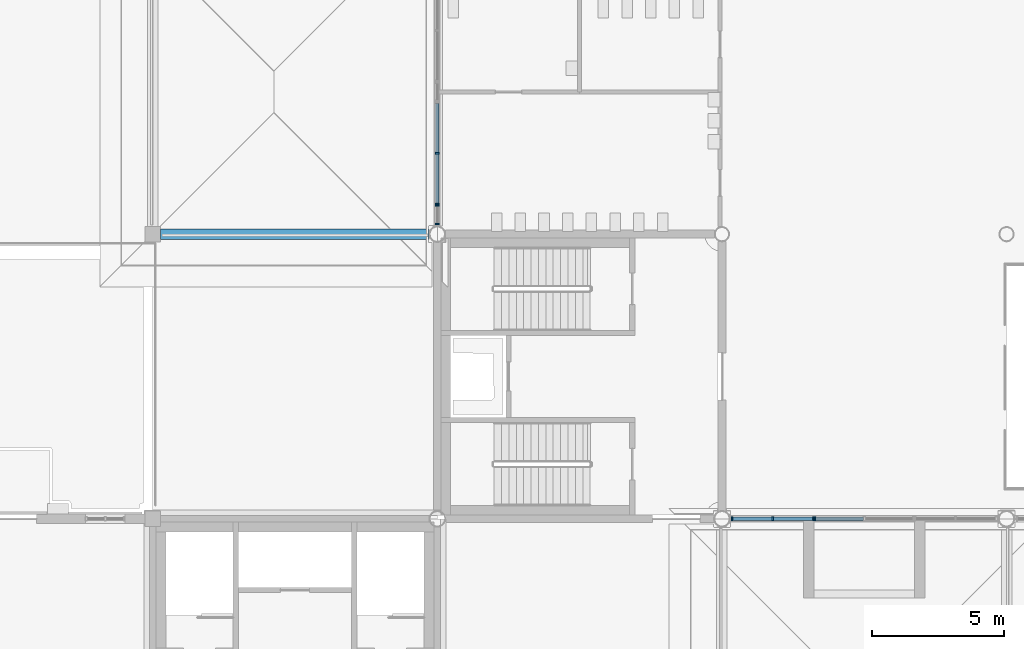
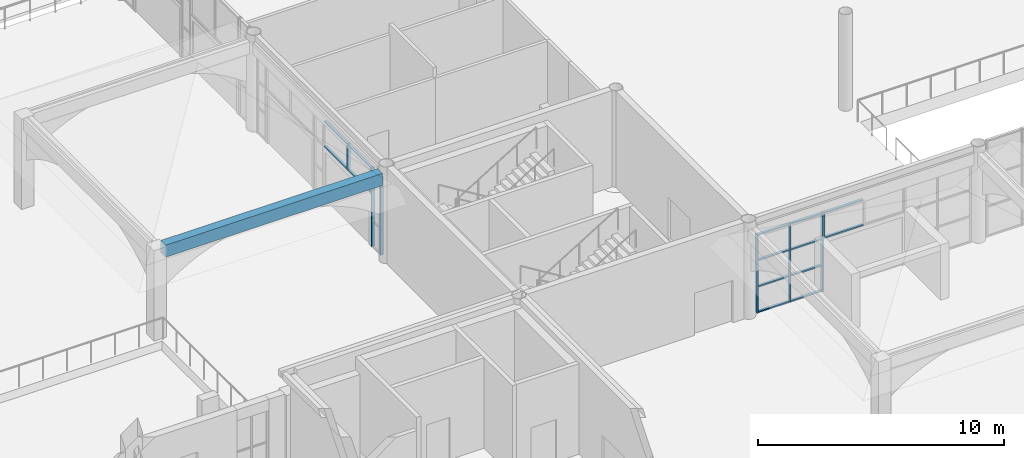
# One storey, part 16 of 91: 22 members, 1 beam, 4 elements without a shape of their own.
"""IFC4 building model written with IfcOpenShell, lengths in metres."""

from ifc_helpers import new_model, si_unit, direction, frame, origin, origin_2d, place, context, subcontext, project, spatial, rectangle, extrude, material, layer, layer_set, material_profile, profile_set, type_object, element, aggregate, save


model = new_model("IFC4")

# Units and contexts
model_context = context("Model", 3, precision=1e-05, world=origin(), true_north=direction((0.0, 1.0)))
body_context = subcontext(model_context, "Body", "Model", "MODEL_VIEW")
ifc_project = project(units=[si_unit("LENGTHUNIT", "METRE"), si_unit("AREAUNIT", "SQUARE_METRE"), si_unit("VOLUMEUNIT", "CUBIC_METRE"), si_unit("PLANEANGLEUNIT", "RADIAN"), si_unit("MASSUNIT", "GRAM", prefix="KILO")], contexts=[model_context])

# Site, building, storey
site_placement = place(None, origin())
site = spatial("IfcSite", under=ifc_project, at=site_placement, CompositionType="ELEMENT")
building_placement = place(site_placement, origin())
building = spatial("IfcBuilding", under=site, at=building_placement, Name="Magnolia Steps Interchange", CompositionType="ELEMENT")
storey_placement = place(building_placement, origin())
storey = spatial("IfcBuildingStorey", under=building, at=storey_placement, Name="L00", CompositionType="ELEMENT", Elevation=0.0)

# Curtain wall, members
ifc_material_1 = material(Name="Powder-coated aluminium and glass", Category="aluminium")
ifc_layer = layer(ifc_material_1, 0.14990234375)
ifc_layer_set = layer_set([ifc_layer], Name="Glazed hall curtain wall")
curtain_wall_type = type_object("IfcCurtainWallType", Name="Glazed hall curtain wall", PredefinedType="NOTDEFINED", material=ifc_layer_set)
curtain_wall_1_placement = place(storey_placement, origin())
curtain_wall_1 = element("IfcCurtainWall", 1, at=curtain_wall_1_placement, inside=storey, type_object=curtain_wall_type, Name="Hall glazing S2a L00", PredefinedType="NOTDEFINED")
ifc_material_2 = material(Name="White powder-coated aluminium", Category="aluminium")
ifc_material_profile_1 = material_profile(ifc_material_2, rectangle(XDim=0.06005859375, YDim=0.14990234375, at=origin_2d()), Name="Aluminium mullion 60 x 150")
ifc_profile_set_1 = profile_set([ifc_material_profile_1], Name="White powder-coated aluminium")
member_type_1 = type_object("IfcMemberType", Name="Aluminium mullion 60 x 150", PredefinedType="MULLION", material=ifc_profile_set_1)
member_1_placement = place(storey_placement, frame((64.389892578125, 42.39990234375, 0.0), z_axis=(0.0, 0.0, 1.0), x_axis=(1.0, 0.0, 0.0)))
member_1 = element("IfcMember", 2, at=member_1_placement, type_object=member_type_1, Name="CW1 mullion 1", PredefinedType="MULLION", context=body_context, shape_type="SweptSolid", body=[
    extrude(rectangle(XDim=0.06005859375, YDim=0.14990234375, at=origin_2d()), origin(), (0.0, 0.0, 1.0), 3.89990234375),
])
member_2_placement = place(storey_placement, frame((65.929931640625, 42.39990234375, 0.0), z_axis=(0.0, 0.0, 1.0), x_axis=(1.0, 0.0, 0.0)))
member_2 = element("IfcMember", 3, at=member_2_placement, type_object=member_type_1, Name="CW1 mullion 2", PredefinedType="MULLION", context=body_context, shape_type="SweptSolid", body=[
    extrude(rectangle(XDim=0.06005859375, YDim=0.14990234375, at=origin_2d()), origin(), (0.0, 0.0, 1.0), 3.89990234375),
])
member_3_placement = place(storey_placement, frame((67.469970703125, 42.39990234375, 0.0), z_axis=(0.0, 0.0, 1.0), x_axis=(1.0, 0.0, 0.0)))
member_3 = element("IfcMember", 4, at=member_3_placement, type_object=member_type_1, Name="CW1 mullion 3", PredefinedType="MULLION", context=body_context, shape_type="SweptSolid", body=[
    extrude(rectangle(XDim=0.06005859375, YDim=0.14990234375, at=origin_2d()), origin(), (0.0, 0.0, 1.0), 3.89990234375),
])

# Curtain wall, member
curtain_wall_2_placement = place(storey_placement, origin())
curtain_wall_2 = element("IfcCurtainWall", 5, at=curtain_wall_2_placement, inside=storey, type_object=curtain_wall_type, Name="Hall entrance fanlight S2", PredefinedType="NOTDEFINED")
member_4_placement = place(storey_placement, frame((67.530029296875, 42.39990234375, 2.60009765625), z_axis=(0.0, 0.0, 1.0), x_axis=(1.0, 0.0, 0.0)))
member_4 = element("IfcMember", 6, at=member_4_placement, type_object=member_type_1, Name="CW1 mullion 1", PredefinedType="MULLION", context=body_context, shape_type="SweptSolid", body=[
    extrude(rectangle(XDim=0.06005859375, YDim=0.14990234375, at=origin_2d()), origin(), (0.0, 0.0, 1.0), 1.2998046875),
])

# Curtain wall, members
curtain_wall_3_placement = place(storey_placement, origin())
curtain_wall_3 = element("IfcCurtainWall", 7, at=curtain_wall_3_placement, inside=storey, type_object=curtain_wall_type, Name="Hall glazing W2a L00", PredefinedType="NOTDEFINED")
member_5_placement = place(storey_placement, frame((53.199951171875, 53.590087890625, 0.0), z_axis=(0.0, 0.0, 1.0), x_axis=(0.0, 1.0, 0.0)))
member_5 = element("IfcMember", 8, at=member_5_placement, type_object=member_type_1, Name="CW1 mullion 1", PredefinedType="MULLION", context=body_context, shape_type="SweptSolid", body=[
    extrude(rectangle(XDim=0.06005859375, YDim=0.14990234375, at=origin_2d()), origin(), (0.0, 0.0, 1.0), 3.89990234375),
])
member_6_placement = place(storey_placement, frame((53.199951171875, 54.2900390625, 0.0), z_axis=(0.0, 0.0, 1.0), x_axis=(0.0, 1.0, 0.0)))
member_6 = element("IfcMember", 9, at=member_6_placement, type_object=member_type_1, Name="CW1 mullion 2", PredefinedType="MULLION", context=body_context, shape_type="SweptSolid", body=[
    extrude(rectangle(XDim=0.06005859375, YDim=0.14990234375, at=origin_2d()), origin(), (0.0, 0.0, 1.0), 3.89990234375),
])
aggregate(curtain_wall_3, [member_5, member_6])

curtain_wall_4_placement = place(storey_placement, origin())
curtain_wall_4 = element("IfcCurtainWall", 10, at=curtain_wall_4_placement, inside=storey, type_object=curtain_wall_type, Name="Hall entrance fanlight W2-1", PredefinedType="NOTDEFINED")
member_7_placement = place(storey_placement, frame((53.199951171875, 54.35009765625, 2.60009765625), z_axis=(0.0, 0.0, 1.0), x_axis=(0.0, 1.0, 0.0)))
member_7 = element("IfcMember", 11, at=member_7_placement, type_object=member_type_1, Name="CW1 mullion 1", PredefinedType="MULLION", context=body_context, shape_type="SweptSolid", body=[
    extrude(rectangle(XDim=0.06005859375, YDim=0.14990234375, at=origin_2d()), origin(), (0.0, 0.0, 1.0), 1.2998046875),
])
member_8_placement = place(storey_placement, frame((53.199951171875, 56.27001953125, 2.60009765625), z_axis=(0.0, 0.0, 1.0), x_axis=(0.0, 1.0, 0.0)))
member_8 = element("IfcMember", 12, at=member_8_placement, type_object=member_type_1, Name="CW1 mullion 2", PredefinedType="MULLION", context=body_context, shape_type="SweptSolid", body=[
    extrude(rectangle(XDim=0.06005859375, YDim=0.14990234375, at=origin_2d()), origin(), (0.0, 0.0, 1.0), 1.2998046875),
])

# Member
ifc_material_3 = material(Name="White powder-coated aluminium", Category="aluminium")
ifc_material_profile_2 = material_profile(ifc_material_3, rectangle(XDim=0.06005859375, YDim=0.1201171875, at=origin_2d()), Name="Aluminium transom 60 x 120")
ifc_profile_set_2 = profile_set([ifc_material_profile_2], Name="White powder-coated aluminium")
member_type_2 = type_object("IfcMemberType", Name="Aluminium transom 60 x 120", PredefinedType="USERDEFINED", material=ifc_profile_set_2)
member_9_placement = place(storey_placement, frame((64.419921875, 42.39990234375, 0.030029296875), z_axis=(1.0, 0.0, 0.0), x_axis=(0.0, 0.0, 1.0)))
member_9 = element("IfcMember", 13, at=member_9_placement, type_object=member_type_2, Name="CW1 transom 1.1", ObjectType="TRANSOM", PredefinedType="USERDEFINED", context=body_context, shape_type="SweptSolid", body=[
    extrude(rectangle(XDim=0.06005859375, YDim=0.1201171875, at=origin_2d()), origin(), (0.0, 0.0, 1.0), 1.47998046875),
])

member_10_placement = place(storey_placement, frame((64.419921875, 42.39990234375, 1.300048828125), z_axis=(1.0, 0.0, 0.0), x_axis=(0.0, 0.0, 1.0)))
member_10 = element("IfcMember", 14, at=member_10_placement, type_object=member_type_2, Name="CW1 transom 1.2", ObjectType="TRANSOM", PredefinedType="USERDEFINED", context=body_context, shape_type="SweptSolid", body=[
    extrude(rectangle(XDim=0.06005859375, YDim=0.1201171875, at=origin_2d()), origin(), (0.0, 0.0, 1.0), 1.47998046875),
])

member_11_placement = place(storey_placement, frame((64.419921875, 42.39990234375, 2.60009765625), z_axis=(1.0, 0.0, 0.0), x_axis=(0.0, 0.0, 1.0)))
member_11 = element("IfcMember", 15, at=member_11_placement, type_object=member_type_2, Name="CW1 transom 1.3", ObjectType="TRANSOM", PredefinedType="USERDEFINED", context=body_context, shape_type="SweptSolid", body=[
    extrude(rectangle(XDim=0.06005859375, YDim=0.1201171875, at=origin_2d()), origin(), (0.0, 0.0, 1.0), 1.47998046875),
])

member_12_placement = place(storey_placement, frame((64.419921875, 42.39990234375, 3.8701171875), z_axis=(1.0, 0.0, 0.0), x_axis=(0.0, 0.0, 1.0)))
member_12 = element("IfcMember", 16, at=member_12_placement, type_object=member_type_2, Name="CW1 transom 1.4", ObjectType="TRANSOM", PredefinedType="USERDEFINED", context=body_context, shape_type="SweptSolid", body=[
    extrude(rectangle(XDim=0.06005859375, YDim=0.1201171875, at=origin_2d()), origin(), (0.0, 0.0, 1.0), 1.47998046875),
])

member_13_placement = place(storey_placement, frame((65.9599609375, 42.39990234375, 0.030029296875), z_axis=(1.0, 0.0, 0.0), x_axis=(0.0, 0.0, 1.0)))
member_13 = element("IfcMember", 17, at=member_13_placement, type_object=member_type_2, Name="CW1 transom 2.1", ObjectType="TRANSOM", PredefinedType="USERDEFINED", context=body_context, shape_type="SweptSolid", body=[
    extrude(rectangle(XDim=0.06005859375, YDim=0.1201171875, at=origin_2d()), origin(), (0.0, 0.0, 1.0), 1.47998046875),
])

member_14_placement = place(storey_placement, frame((65.9599609375, 42.39990234375, 1.300048828125), z_axis=(1.0, 0.0, 0.0), x_axis=(0.0, 0.0, 1.0)))
member_14 = element("IfcMember", 18, at=member_14_placement, type_object=member_type_2, Name="CW1 transom 2.2", ObjectType="TRANSOM", PredefinedType="USERDEFINED", context=body_context, shape_type="SweptSolid", body=[
    extrude(rectangle(XDim=0.06005859375, YDim=0.1201171875, at=origin_2d()), origin(), (0.0, 0.0, 1.0), 1.47998046875),
])

member_15_placement = place(storey_placement, frame((65.9599609375, 42.39990234375, 2.60009765625), z_axis=(1.0, 0.0, 0.0), x_axis=(0.0, 0.0, 1.0)))
member_15 = element("IfcMember", 19, at=member_15_placement, type_object=member_type_2, Name="CW1 transom 2.3", ObjectType="TRANSOM", PredefinedType="USERDEFINED", context=body_context, shape_type="SweptSolid", body=[
    extrude(rectangle(XDim=0.06005859375, YDim=0.1201171875, at=origin_2d()), origin(), (0.0, 0.0, 1.0), 1.47998046875),
])

member_16_placement = place(storey_placement, frame((65.9599609375, 42.39990234375, 3.8701171875), z_axis=(1.0, 0.0, 0.0), x_axis=(0.0, 0.0, 1.0)))
member_16 = element("IfcMember", 20, at=member_16_placement, type_object=member_type_2, Name="CW1 transom 2.4", ObjectType="TRANSOM", PredefinedType="USERDEFINED", context=body_context, shape_type="SweptSolid", body=[
    extrude(rectangle(XDim=0.06005859375, YDim=0.1201171875, at=origin_2d()), origin(), (0.0, 0.0, 1.0), 1.47998046875),
])

aggregate(curtain_wall_1, [member_1, member_2, member_3, member_9, member_10, member_11, member_12, member_13, member_14, member_15, member_16])

member_17_placement = place(storey_placement, frame((67.56005859375, 42.39990234375, 2.6298828125), z_axis=(1.0, 0.0, 0.0), x_axis=(0.0, 0.0, 1.0)))
member_17 = element("IfcMember", 21, at=member_17_placement, type_object=member_type_2, Name="CW1 transom 1.1", ObjectType="TRANSOM", PredefinedType="USERDEFINED", context=body_context, shape_type="SweptSolid", body=[
    extrude(rectangle(XDim=0.06005859375, YDim=0.1201171875, at=origin_2d()), origin(), (0.0, 0.0, 1.0), 1.81005859375),
])

member_18_placement = place(storey_placement, frame((67.56005859375, 42.39990234375, 3.8701171875), z_axis=(1.0, 0.0, 0.0), x_axis=(0.0, 0.0, 1.0)))
member_18 = element("IfcMember", 22, at=member_18_placement, type_object=member_type_2, Name="CW1 transom 1.2", ObjectType="TRANSOM", PredefinedType="USERDEFINED", context=body_context, shape_type="SweptSolid", body=[
    extrude(rectangle(XDim=0.06005859375, YDim=0.1201171875, at=origin_2d()), origin(), (0.0, 0.0, 1.0), 1.81005859375),
])

aggregate(curtain_wall_2, [member_4, member_17, member_18])

member_19_placement = place(storey_placement, frame((53.199951171875, 54.3798828125, 2.6298828125), z_axis=(0.0, 1.0, 0.0), x_axis=(0.0, 0.0, 1.0)))
member_19 = element("IfcMember", 23, at=member_19_placement, type_object=member_type_2, Name="CW1 transom 1.1", ObjectType="TRANSOM", PredefinedType="USERDEFINED", context=body_context, shape_type="SweptSolid", body=[
    extrude(rectangle(XDim=0.06005859375, YDim=0.1201171875, at=origin_2d()), origin(), (0.0, 0.0, 1.0), 1.860107421875),
])

member_20_placement = place(storey_placement, frame((53.199951171875, 54.3798828125, 3.8701171875), z_axis=(0.0, 1.0, 0.0), x_axis=(0.0, 0.0, 1.0)))
member_20 = element("IfcMember", 24, at=member_20_placement, type_object=member_type_2, Name="CW1 transom 1.2", ObjectType="TRANSOM", PredefinedType="USERDEFINED", context=body_context, shape_type="SweptSolid", body=[
    extrude(rectangle(XDim=0.06005859375, YDim=0.1201171875, at=origin_2d()), origin(), (0.0, 0.0, 1.0), 1.860107421875),
])

member_21_placement = place(storey_placement, frame((53.199951171875, 56.300048828125, 2.6298828125), z_axis=(0.0, 1.0, 0.0), x_axis=(0.0, 0.0, 1.0)))
member_21 = element("IfcMember", 25, at=member_21_placement, type_object=member_type_2, Name="CW1 transom 2.1", ObjectType="TRANSOM", PredefinedType="USERDEFINED", context=body_context, shape_type="SweptSolid", body=[
    extrude(rectangle(XDim=0.06005859375, YDim=0.1201171875, at=origin_2d()), origin(), (0.0, 0.0, 1.0), 1.85986328125),
])

member_22_placement = place(storey_placement, frame((53.199951171875, 56.300048828125, 3.8701171875), z_axis=(0.0, 1.0, 0.0), x_axis=(0.0, 0.0, 1.0)))
member_22 = element("IfcMember", 26, at=member_22_placement, type_object=member_type_2, Name="CW1 transom 2.2", ObjectType="TRANSOM", PredefinedType="USERDEFINED", context=body_context, shape_type="SweptSolid", body=[
    extrude(rectangle(XDim=0.06005859375, YDim=0.1201171875, at=origin_2d()), origin(), (0.0, 0.0, 1.0), 1.85986328125),
])

aggregate(curtain_wall_4, [member_7, member_8, member_19, member_20, member_21, member_22])

# Beam
ifc_material_4 = material(Name="Concrete C40", Category="concrete")
ifc_material_profile_3 = material_profile(ifc_material_4, rectangle(XDim=0.39990234375, YDim=0.60009765625, at=origin_2d()), Name="RC400x600")
ifc_profile_set_3 = profile_set([ifc_material_profile_3], Name="Concrete C40")
beam_type = type_object("IfcBeamType", Name="RC beam 400x600", PredefinedType="BEAM", material=ifc_profile_set_3)
beam_placement = place(storey_placement, frame((42.699951171875, 53.199951171875, 4.199951171875), z_axis=(1.0, 0.0, 0.0), x_axis=(0.0, 1.0, 0.0)))
element("IfcBeam", 27, at=beam_placement, inside=storey, type_object=beam_type, Name="Portico eave beam W2", PredefinedType="BEAM", context=body_context, shape_type="SweptSolid", body=[
    extrude(rectangle(XDim=0.39990234375, YDim=0.60009765625, at=origin_2d()), origin(), (0.0, 0.0, 1.0), 10.195068359375),
])

save(model, "model.ifc")
